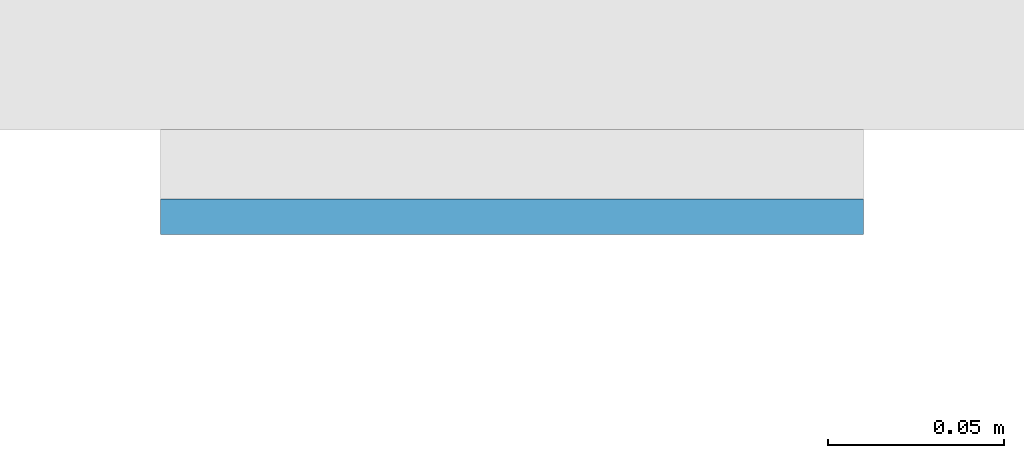
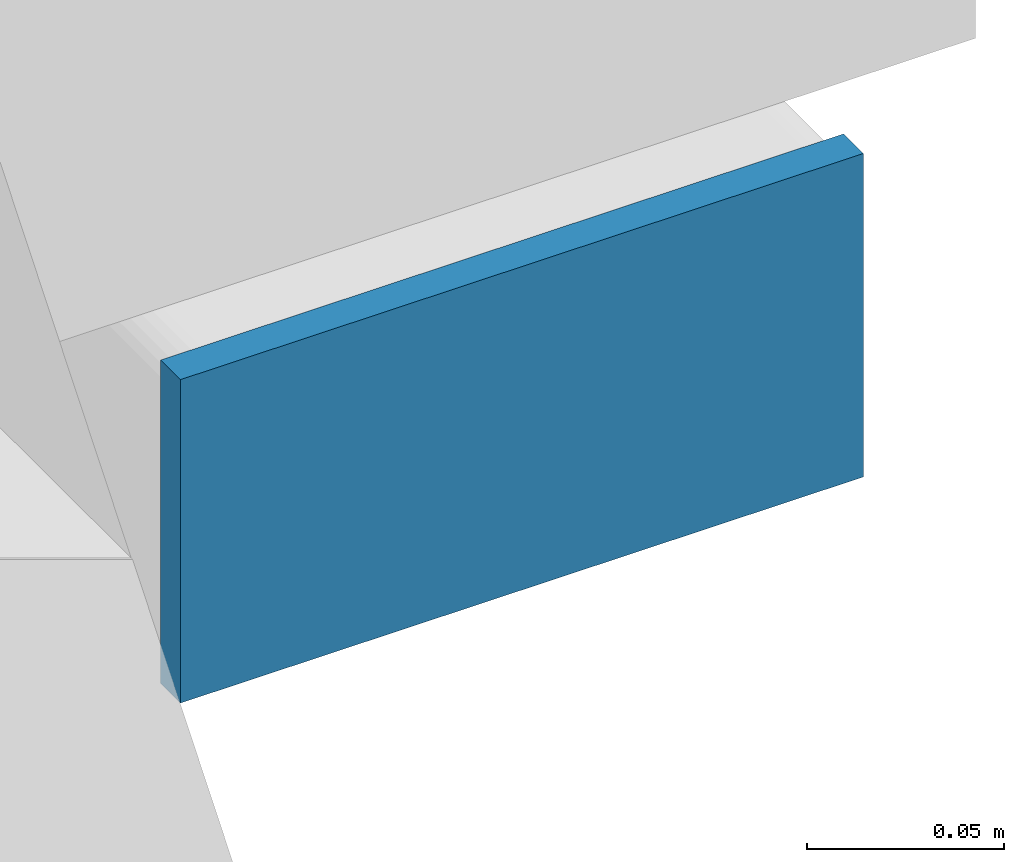
# One storey, part 10 of 20: 1 plate.
"""IFC4 building model written with IfcOpenShell, lengths in metres."""

from ifc_helpers import new_model, si_unit, direction, frame, origin, origin_2d, place, context, subcontext, project, spatial, rectangle, extrude, material, layer, layer_set, type_object, element, save


model = new_model("IFC4")

# Units and contexts
model_context = context("Model", 3, precision=1e-05, world=origin(), true_north=direction((0.0, 1.0)))
body_context = subcontext(model_context, "Body", "Model", "MODEL_VIEW")
ifc_project = project(units=[si_unit("LENGTHUNIT", "METRE"), si_unit("AREAUNIT", "SQUARE_METRE"), si_unit("VOLUMEUNIT", "CUBIC_METRE"), si_unit("PLANEANGLEUNIT", "RADIAN"), si_unit("MASSUNIT", "GRAM", prefix="KILO")], contexts=[model_context])

# Site, building, storey
site_placement = place(None, origin())
site = spatial("IfcSite", under=ifc_project, at=site_placement, CompositionType="ELEMENT")
building_placement = place(site_placement, origin())
building = spatial("IfcBuilding", under=site, at=building_placement, Name="Cleftline Residences", CompositionType="ELEMENT")
storey_placement = place(building_placement, frame((0.0, 0.0, 110.60009765625)))
storey = spatial("IfcBuildingStorey", under=building, at=storey_placement, Name="L28", CompositionType="ELEMENT", Elevation=110.60009765625)

# Plate
ifc_material = material(Name="Steel S355, hot-dip galvanised", Category="steel")
ifc_layer = layer(ifc_material, 0.010009765625)
ifc_layer_set = layer_set([ifc_layer], Name="BAGUETTE CARRIER END PLATE 200X100X10")
plate_type = type_object("IfcPlateType", Name="BAGUETTE CARRIER END PLATE 200X100X10", PredefinedType="USERDEFINED", material=ifc_layer_set)
plate_placement = place(storey_placement, frame((66.85009765625, 3.695068359375, -0.10009765625), z_axis=(0.0, 0.0, 1.0), x_axis=(1.0, 0.0, 0.0)))
element("IfcPlate", 1, at=plate_placement, inside=storey, type_object=plate_type, Name="Baguette carrier end plate", ObjectType="BAGUETTE CARRIER END PLATE", PredefinedType="USERDEFINED", context=body_context, shape_type="SweptSolid", body=[
    extrude(rectangle(XDim=0.199951171875, YDim=0.010009765625, at=origin_2d()), origin(), (0.0, 0.0, 1.0), 0.10009765625),
])

save(model, "model.ifc")
